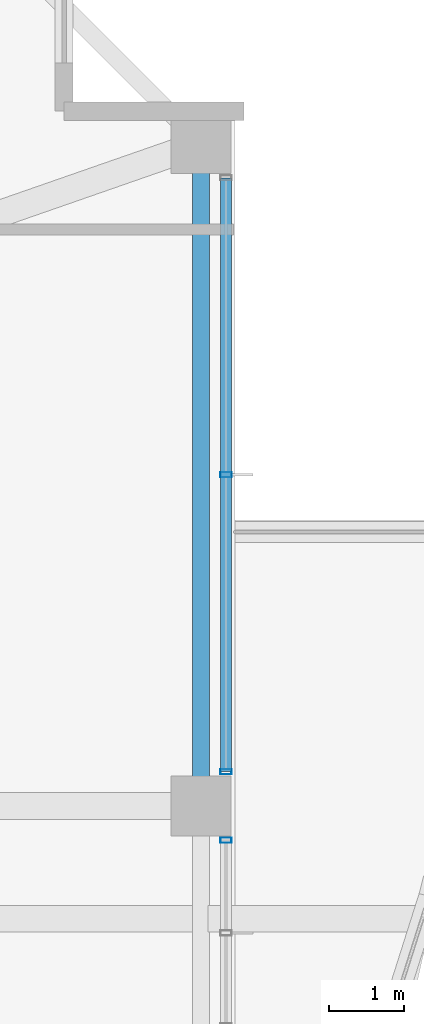
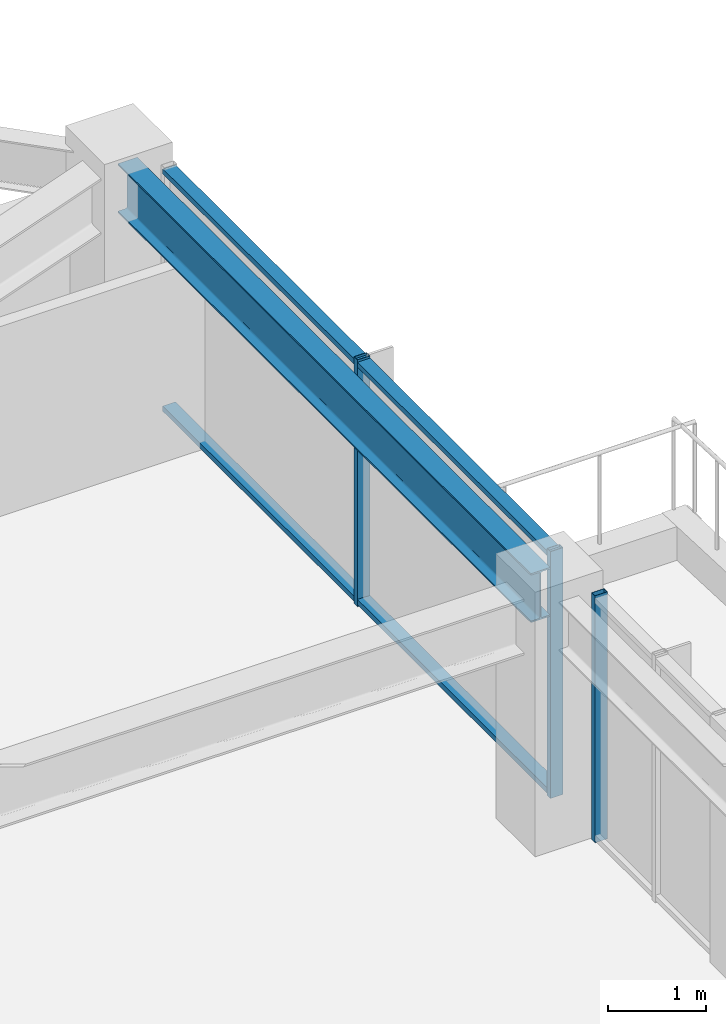
# One storey, part 15 of 34: 5 members, 1 beam, 2 elements without a shape of their own.
"""IFC4 building model written with IfcOpenShell, lengths in metres."""

from ifc_helpers import new_model, si_unit, direction, frame, origin, origin_2d, place, context, subcontext, project, spatial, hollow_rectangle, i_section, extrude, material, material_profile, profile_set, type_object, element, aggregate, save


model = new_model("IFC4")

# Units and contexts
model_context = context("Model", 3, precision=1e-05, world=origin(), true_north=direction((0.0, 1.0)))
body_context = subcontext(model_context, "Body", "Model", "MODEL_VIEW")
ifc_project = project(units=[si_unit("LENGTHUNIT", "METRE"), si_unit("AREAUNIT", "SQUARE_METRE"), si_unit("VOLUMEUNIT", "CUBIC_METRE"), si_unit("PLANEANGLEUNIT", "RADIAN"), si_unit("MASSUNIT", "GRAM", prefix="KILO")], contexts=[model_context])

# Site, building, storey
site_placement = place(None, origin())
site = spatial("IfcSite", under=ifc_project, at=site_placement, CompositionType="ELEMENT")
building_placement = place(site_placement, origin())
building = spatial("IfcBuilding", under=site, at=building_placement, Name="Kolvaren Belvedere", CompositionType="ELEMENT")
storey_placement = place(building_placement, frame((0.0, 0.0, 222.89990234375)))
storey = spatial("IfcBuildingStorey", under=building, at=storey_placement, Name="L65", CompositionType="ELEMENT", Elevation=222.89990234375)

# Beam
ifc_material_1 = material(Name="Structural steel ASTM A992 Grade 50", Category="steel")
ifc_material_profile_1 = material_profile(ifc_material_1, i_section(OverallWidth=0.22900390625, OverallDepth=0.612060546875, WebThickness=0.011962890625, FlangeThickness=0.01953125, FilletRadius=0.01806640625, at=origin_2d()), Name="W24X84")
ifc_profile_set_1 = profile_set([ifc_material_profile_1], Name="Structural steel ASTM A992 Grade 50")
beam_type = type_object("IfcBeamType", Name="BM-SPAN-W24X84", PredefinedType="SPANDREL", material=ifc_profile_set_1)
beam_placement = place(storey_placement, frame((19.949951171875, 4.780029296875, 2.774169921875), z_axis=(0.0, 1.0, 0.0), x_axis=(-1.0, 0.0, 0.0)))
element("IfcBeam", 1, at=beam_placement, inside=storey, type_object=beam_type, Name="L65 Perimeter Spandrel E3-E4", PredefinedType="SPANDREL", context=body_context, shape_type="SweptSolid", body=[
    extrude(i_section(OverallWidth=0.22900390625, OverallDepth=0.612060546875, WebThickness=0.011962890625, FlangeThickness=0.01953125, FilletRadius=0.01806640625, at=origin_2d()), origin(), (0.0, 0.0, 1.0), 8.43994140625),
])

# Curtain wall, members
ifc_material_2 = material(Name="Anodised pale-metal aluminium AA 6063-T6", Category="aluminium")
curtain_wall_type = type_object("IfcCurtainWallType", Name="CW-Z5-HIGH", PredefinedType="NOTDEFINED", material=ifc_material_2)
curtain_wall_1_placement = place(storey_placement, origin())
curtain_wall_1 = element("IfcCurtainWall", 2, at=curtain_wall_1_placement, inside=storey, type_object=curtain_wall_type, Name="L65 Unitised Curtain Wall FCW-L65-E1-B1", PredefinedType="NOTDEFINED")
ifc_material_3 = material(Name="Anodised pale-metal aluminium AA 6063-T6", Category="aluminium")
ifc_material_profile_2 = material_profile(ifc_material_3, hollow_rectangle(XDim=0.070068359375, YDim=0.14990234375, WallThickness=0.004150390625, at=origin_2d()), Name="ALU-MUL-150X70")
ifc_profile_set_2 = profile_set([ifc_material_profile_2], Name="Anodised pale-metal aluminium AA 6063-T6")
member_type_1 = type_object("IfcMemberType", Name="CW-MUL-150", PredefinedType="MULLION", material=ifc_profile_set_2)
member_1_placement = place(storey_placement, frame((20.280029296875, 9.0, 0.0), z_axis=(0.0, 0.0, 1.0), x_axis=(0.0, 1.0, 0.0)))
member_1 = element("IfcMember", 3, at=member_1_placement, type_object=member_type_1, Name="FCW-L65-E1-B1 Unitised Mullion 2", PredefinedType="MULLION", context=body_context, shape_type="SweptSolid", body=[
    extrude(hollow_rectangle(XDim=0.070068359375, YDim=0.14990234375, WallThickness=0.004150390625, at=origin_2d()), origin(), (0.0, 0.0, 1.0), 3.080078125),
])
member_2_placement = place(storey_placement, frame((20.280029296875, 5.054931640625, 0.0), z_axis=(0.0, 0.0, 1.0), x_axis=(0.0, 1.0, 0.0)))
member_2 = element("IfcMember", 4, at=member_2_placement, type_object=member_type_1, Name="FCW-L65-E1-B1 Unitised Mullion 3", PredefinedType="MULLION", context=body_context, shape_type="SweptSolid", body=[
    extrude(hollow_rectangle(XDim=0.070068359375, YDim=0.14990234375, WallThickness=0.004150390625, at=origin_2d()), origin(), (0.0, 0.0, 1.0), 3.080078125),
])

# Curtain wall, member
curtain_wall_2_placement = place(storey_placement, origin())
curtain_wall_2 = element("IfcCurtainWall", 5, at=curtain_wall_2_placement, inside=storey, type_object=curtain_wall_type, Name="L65 Unitised Curtain Wall FCW-L65-E1-B2", PredefinedType="NOTDEFINED")
member_3_placement = place(storey_placement, frame((20.280029296875, 4.14501953125, 0.0), z_axis=(0.0, 0.0, 1.0), x_axis=(0.0, 1.0, 0.0)))
member_3 = element("IfcMember", 6, at=member_3_placement, type_object=member_type_1, Name="FCW-L65-E1-B2 Unitised Mullion 1", PredefinedType="MULLION", context=body_context, shape_type="SweptSolid", body=[
    extrude(hollow_rectangle(XDim=0.070068359375, YDim=0.14990234375, WallThickness=0.004150390625, at=origin_2d()), origin(), (0.0, 0.0, 1.0), 3.080078125),
])
aggregate(curtain_wall_2, [member_3])

# Member
ifc_material_4 = material(Name="Anodised pale-metal aluminium AA 6063-T6", Category="aluminium")
ifc_material_profile_3 = material_profile(ifc_material_4, hollow_rectangle(XDim=0.06494140625, YDim=0.14990234375, WallThickness=0.00390625, at=origin_2d()), Name="ALU-TRN-150X65")
ifc_profile_set_3 = profile_set([ifc_material_profile_3], Name="Anodised pale-metal aluminium AA 6063-T6")
member_type_2 = type_object("IfcMemberType", Name="CW-TRN-150", PredefinedType="USERDEFINED", material=ifc_profile_set_3)
member_4_placement = place(storey_placement, frame((20.280029296875, 12.945068359375, 0.06005859375), z_axis=(0.0, -1.0, 0.0), x_axis=(0.0, 0.0, 1.0)))
member_4 = element("IfcMember", 7, at=member_4_placement, type_object=member_type_2, Name="FCW-L65-E1-B1 Sill Transom", ObjectType="TRANSOM", PredefinedType="USERDEFINED", context=body_context, shape_type="SweptSolid", body=[
    extrude(hollow_rectangle(XDim=0.06494140625, YDim=0.14990234375, WallThickness=0.00390625, at=origin_2d()), origin(), (0.0, 0.0, 1.0), 7.89013671875),
])

member_5_placement = place(storey_placement, frame((20.280029296875, 12.945068359375, 3.02001953125), z_axis=(0.0, -1.0, 0.0), x_axis=(0.0, 0.0, 1.0)))
member_5 = element("IfcMember", 8, at=member_5_placement, type_object=member_type_2, Name="FCW-L65-E1-B1 Head Transom", ObjectType="TRANSOM", PredefinedType="USERDEFINED", context=body_context, shape_type="SweptSolid", body=[
    extrude(hollow_rectangle(XDim=0.06494140625, YDim=0.14990234375, WallThickness=0.00390625, at=origin_2d()), origin(), (0.0, 0.0, 1.0), 7.89013671875),
])

aggregate(curtain_wall_1, [member_1, member_2, member_4, member_5])

save(model, "model.ifc")
